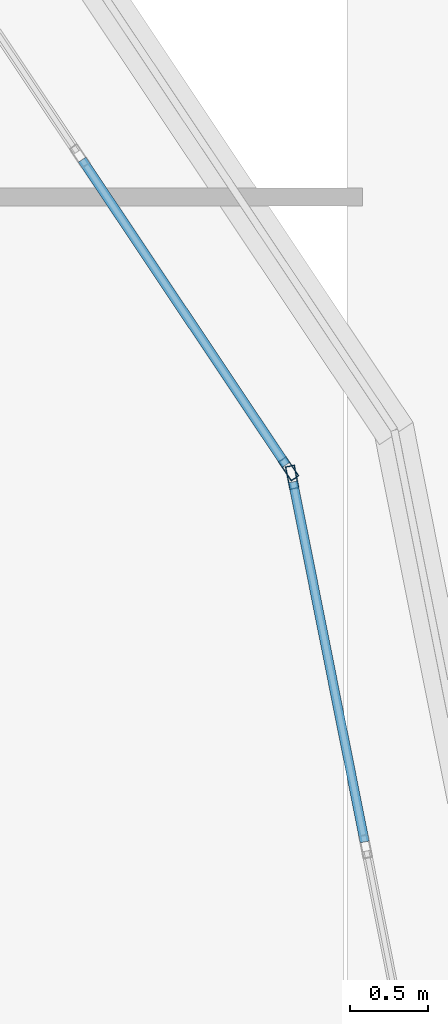
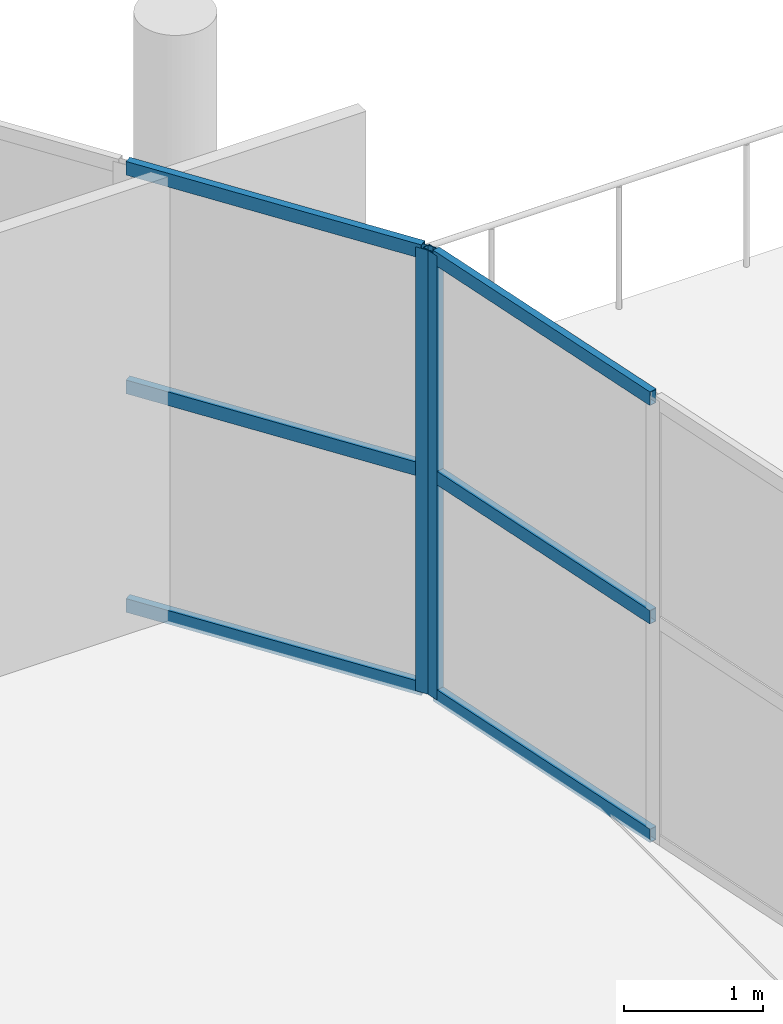
# One storey, part 26 of 44: 8 members, 2 elements without a shape of their own.
"""IFC4 building model written with IfcOpenShell, lengths in metres."""

from ifc_helpers import new_model, si_unit, direction, frame, origin, origin_2d, place, context, subcontext, project, spatial, hollow_rectangle, extrude, material, layer, layer_set, material_profile, profile_set, type_object, element, aggregate, save


model = new_model("IFC4")

# Units and contexts
model_context = context("Model", 3, precision=1e-05, world=origin(), true_north=direction((0.0, 1.0)))
body_context = subcontext(model_context, "Body", "Model", "MODEL_VIEW")
ifc_project = project(units=[si_unit("LENGTHUNIT", "METRE"), si_unit("AREAUNIT", "SQUARE_METRE"), si_unit("VOLUMEUNIT", "CUBIC_METRE"), si_unit("PLANEANGLEUNIT", "RADIAN"), si_unit("MASSUNIT", "GRAM", prefix="KILO")], contexts=[model_context])

# Site, building, storey
site_placement = place(None, origin())
site = spatial("IfcSite", under=ifc_project, at=site_placement, CompositionType="ELEMENT")
building_placement = place(site_placement, origin())
building = spatial("IfcBuilding", under=site, at=building_placement, Name="Zizhar Promenade General Hospital", CompositionType="ELEMENT")
storey_placement = place(building_placement, frame((0.0, 0.0, 34.800048828125)))
storey = spatial("IfcBuildingStorey", under=building, at=storey_placement, Name="L08", CompositionType="ELEMENT", Elevation=34.800048828125)

# Curtain wall, member
ifc_material_1 = material(Name="Anodised aluminium 6063-T6 and low-E glass", Category="aluminium")
ifc_layer = layer(ifc_material_1, 0.159912109375)
ifc_layer_set = layer_set([ifc_layer], Name="Anodised aluminium 6063-T6 and low-E glass")
curtain_wall_type = type_object("IfcCurtainWallType", Name="CW-WARD-ARC", PredefinedType="NOTDEFINED", material=ifc_layer_set)
curtain_wall_1_placement = place(storey_placement, origin())
curtain_wall_1 = element("IfcCurtainWall", 1, at=curtain_wall_1_placement, inside=storey, type_object=curtain_wall_type, Name="Ward Semicircular End Glazing L08-05", PredefinedType="NOTDEFINED")
ifc_material_2 = material(Name="Anodised aluminium 6063-T6", Category="aluminium")
ifc_material_profile_1 = material_profile(ifc_material_2, hollow_rectangle(XDim=0.06005859375, YDim=0.14990234375, WallThickness=0.00390625, at=origin_2d()))
ifc_profile_set_1 = profile_set([ifc_material_profile_1], Name="Anodised aluminium 6063-T6")
member_type_1 = type_object("IfcMemberType", Name="CWM-ALU-150x60", PredefinedType="MULLION", material=ifc_profile_set_1)
member_1_placement = place(storey_placement, frame((110.046630859375, 17.392333984375, 0.0), z_axis=(0.0, 0.0, 1.0), x_axis=(0.980785889615, 0.195087259275, 0.0)))
member_1 = element("IfcMember", 2, at=member_1_placement, type_object=member_type_1, Name="CW-12 mullion 1", PredefinedType="MULLION", context=body_context, shape_type="SweptSolid", body=[
    extrude(hollow_rectangle(XDim=0.06005859375, YDim=0.14990234375, WallThickness=0.00390625, at=origin_2d()), origin(), (0.0, 0.0, 1.0), 3.89990234375),
])

curtain_wall_2_placement = place(storey_placement, origin())
curtain_wall_2 = element("IfcCurtainWall", 3, at=curtain_wall_2_placement, inside=storey, type_object=curtain_wall_type, Name="Ward Semicircular End Glazing L08-06", PredefinedType="NOTDEFINED")
member_2_placement = place(storey_placement, frame((110.024169921875, 17.44677734375, 0.0), z_axis=(0.0, 0.0, 1.0), x_axis=(0.831461514468, 0.555582352095, 0.0)))
member_2 = element("IfcMember", 4, at=member_2_placement, type_object=member_type_1, Name="CW-12 mullion 3", PredefinedType="MULLION", context=body_context, shape_type="SweptSolid", body=[
    extrude(hollow_rectangle(XDim=0.06005859375, YDim=0.14990234375, WallThickness=0.00390625, at=origin_2d()), origin(), (0.0, 0.0, 1.0), 3.89990234375),
])

# Member
ifc_material_3 = material(Name="Anodised aluminium 6063-T6", Category="aluminium")
ifc_material_profile_2 = material_profile(ifc_material_3, hollow_rectangle(XDim=0.06005859375, YDim=0.1201171875, WallThickness=0.00390625, at=origin_2d()))
ifc_profile_set_2 = profile_set([ifc_material_profile_2], Name="Anodised aluminium 6063-T6")
member_type_2 = type_object("IfcMemberType", Name="CWT-ALU-120x60", PredefinedType="USERDEFINED", material=ifc_profile_set_2)
member_3_placement = place(storey_placement, frame((110.052490234375, 17.363037109375, 0.030029296875), z_axis=(0.195144637465, -0.980774474825, 0.0), x_axis=(0.980774474825, 0.195144637465, 0.0)))
member_3 = element("IfcMember", 5, at=member_3_placement, type_object=member_type_2, Name="CW-12 transom 1.1", ObjectType="TRANSOM", PredefinedType="USERDEFINED", context=body_context, shape_type="SweptSolid", body=[
    extrude(hollow_rectangle(XDim=0.06005859375, YDim=0.1201171875, WallThickness=0.00390625, at=origin_2d()), origin(), (0.0, 0.0, 1.0), 2.3681640625),
])

member_4_placement = place(storey_placement, frame((110.052490234375, 17.363037109375, 1.949951171875), z_axis=(0.195144637465, -0.980774474825, 0.0), x_axis=(0.980774474825, 0.195144637465, 0.0)))
member_4 = element("IfcMember", 6, at=member_4_placement, type_object=member_type_2, Name="CW-12 transom 1.2", ObjectType="TRANSOM", PredefinedType="USERDEFINED", context=body_context, shape_type="SweptSolid", body=[
    extrude(hollow_rectangle(XDim=0.06005859375, YDim=0.1201171875, WallThickness=0.00390625, at=origin_2d()), origin(), (0.0, 0.0, 1.0), 2.3681640625),
])

member_5_placement = place(storey_placement, frame((110.052490234375, 17.363037109375, 3.869873046875), z_axis=(0.195144637465, -0.980774474825, 0.0), x_axis=(0.980774474825, 0.195144637465, 0.0)))
member_5 = element("IfcMember", 7, at=member_5_placement, type_object=member_type_2, Name="CW-12 transom 1.3", ObjectType="TRANSOM", PredefinedType="USERDEFINED", context=body_context, shape_type="SweptSolid", body=[
    extrude(hollow_rectangle(XDim=0.06005859375, YDim=0.1201171875, WallThickness=0.00390625, at=origin_2d()), origin(), (0.0, 0.0, 1.0), 2.3681640625),
])

aggregate(curtain_wall_1, [member_1, member_3, member_4, member_5])

member_6_placement = place(storey_placement, frame((108.69189453125, 19.440673828125, 0.030029296875), z_axis=(0.555580160396, -0.831462978956, 0.0), x_axis=(0.831462978956, 0.555580160396, 0.0)))
member_6 = element("IfcMember", 8, at=member_6_placement, type_object=member_type_2, Name="CW-12 transom 2.1", ObjectType="TRANSOM", PredefinedType="USERDEFINED", context=body_context, shape_type="SweptSolid", body=[
    extrude(hollow_rectangle(XDim=0.06005859375, YDim=0.1201171875, WallThickness=0.00390625, at=origin_2d()), origin(), (0.0, 0.0, 1.0), 2.3681640625),
])

member_7_placement = place(storey_placement, frame((108.69189453125, 19.440673828125, 1.949951171875), z_axis=(0.555580160396, -0.831462978956, 0.0), x_axis=(0.831462978956, 0.555580160396, 0.0)))
member_7 = element("IfcMember", 9, at=member_7_placement, type_object=member_type_2, Name="CW-12 transom 2.2", ObjectType="TRANSOM", PredefinedType="USERDEFINED", context=body_context, shape_type="SweptSolid", body=[
    extrude(hollow_rectangle(XDim=0.06005859375, YDim=0.1201171875, WallThickness=0.00390625, at=origin_2d()), origin(), (0.0, 0.0, 1.0), 2.3681640625),
])

member_8_placement = place(storey_placement, frame((108.69189453125, 19.440673828125, 3.869873046875), z_axis=(0.555580160396, -0.831462978956, 0.0), x_axis=(0.831462978956, 0.555580160396, 0.0)))
member_8 = element("IfcMember", 10, at=member_8_placement, type_object=member_type_2, Name="CW-12 transom 2.3", ObjectType="TRANSOM", PredefinedType="USERDEFINED", context=body_context, shape_type="SweptSolid", body=[
    extrude(hollow_rectangle(XDim=0.06005859375, YDim=0.1201171875, WallThickness=0.00390625, at=origin_2d()), origin(), (0.0, 0.0, 1.0), 2.3681640625),
])

aggregate(curtain_wall_2, [member_2, member_6, member_7, member_8])

save(model, "model.ifc")
